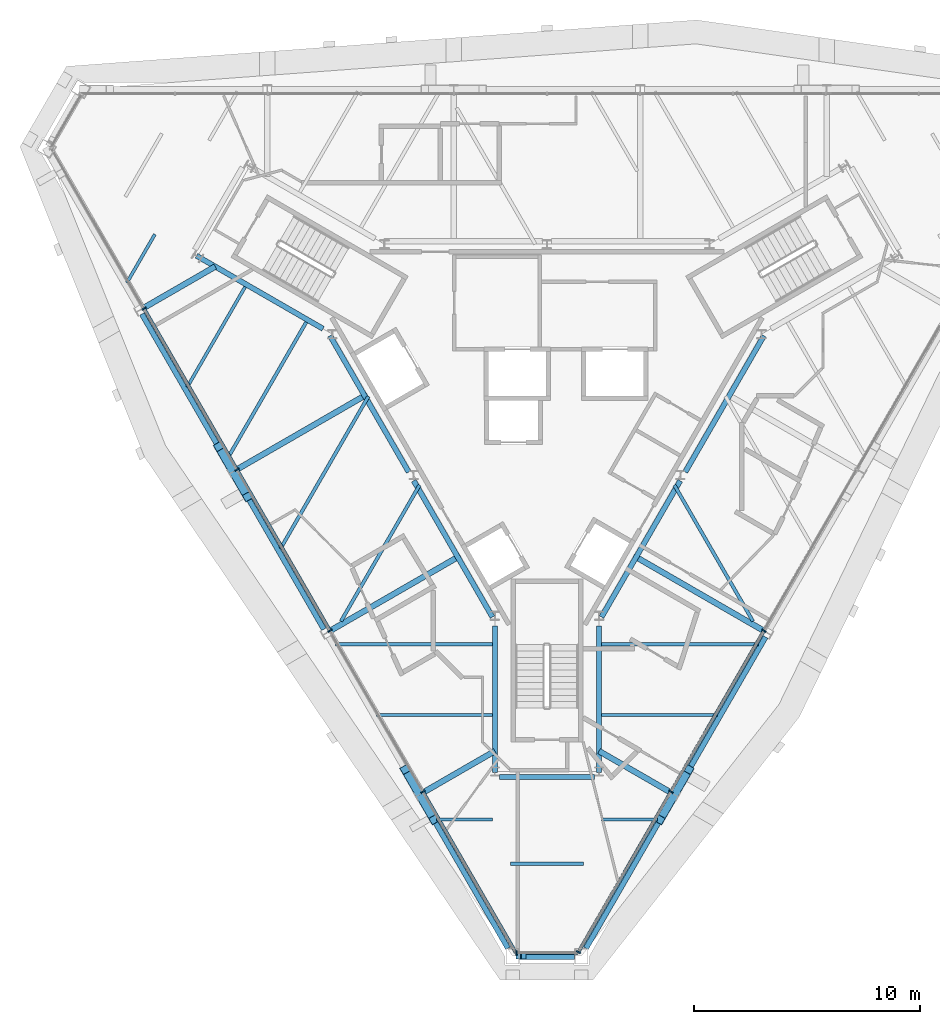
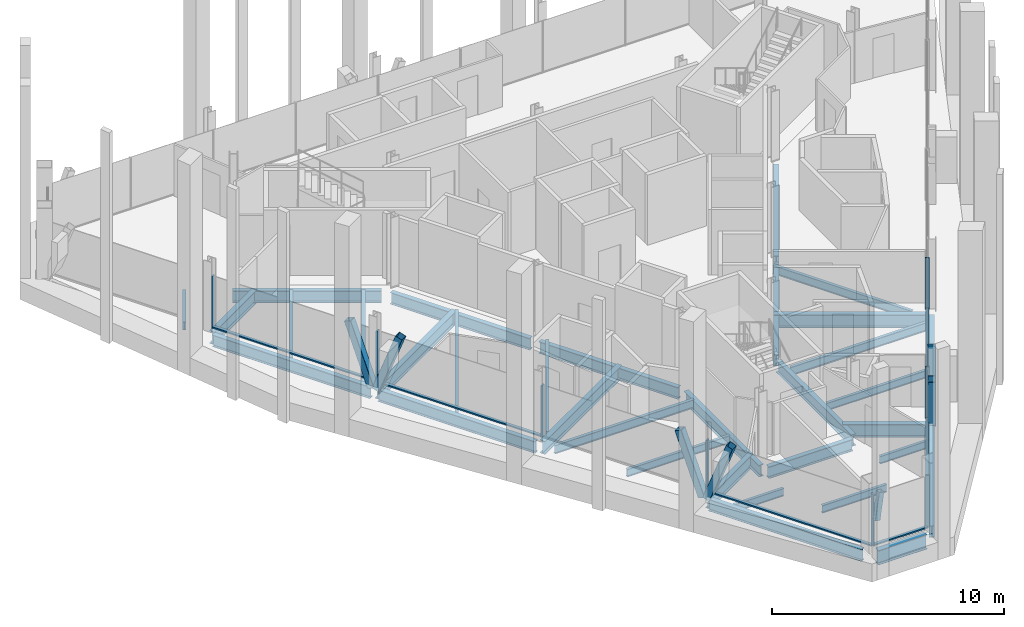
# One storey, part 3 of 12: 33 beams, 21 members, 3 elements without a shape of their own.
"""IFC4 building model written with IfcOpenShell, lengths in metres."""

from ifc_helpers import new_model, si_unit, direction, frame, origin, origin_2d, place, context, subcontext, project, spatial, rectangle, hollow_rectangle, i_section, extrude, material, material_profile, profile_set, type_object, element, aggregate, save


model = new_model("IFC4")

# Units and contexts
model_context = context("Model", 3, precision=1e-05, world=origin(), true_north=direction((0.0, 1.0)))
body_context = subcontext(model_context, "Body", "Model", "MODEL_VIEW")
ifc_project = project(units=[si_unit("LENGTHUNIT", "METRE"), si_unit("AREAUNIT", "SQUARE_METRE"), si_unit("VOLUMEUNIT", "CUBIC_METRE"), si_unit("PLANEANGLEUNIT", "RADIAN"), si_unit("MASSUNIT", "GRAM", prefix="KILO")], contexts=[model_context])

# Site, building, storey
site_placement = place(None, origin())
site = spatial("IfcSite", under=ifc_project, at=site_placement, CompositionType="ELEMENT")
building_placement = place(site_placement, origin())
building = spatial("IfcBuilding", under=site, at=building_placement, Name="Verrane Prism Tower", CompositionType="ELEMENT")
storey_placement = place(building_placement, frame((0.0, 0.0, 264.0)))
storey = spatial("IfcBuildingStorey", under=building, at=storey_placement, Name="L66", CompositionType="ELEMENT", Elevation=264.0)

# Member
ifc_material_1 = material(Name="Steel A500 Grade C", Category="steel")
ifc_material_profile_1 = material_profile(ifc_material_1, hollow_rectangle(XDim=0.25390625, YDim=0.25390625, WallThickness=0.009521484375, InnerFilletRadius=0.0048828125, OuterFilletRadius=0.014404296875, at=origin_2d()), Name="HSS10x10x3/8")
ifc_profile_set_1 = profile_set([ifc_material_profile_1], Name="Steel A500 Grade C")
member_type_1 = type_object("IfcMemberType", Name="Chamfer brace HSS10x10x3/8", PredefinedType="BRACE", material=ifc_profile_set_1)
member_1_placement = place(storey_placement, frame((-1.25, -24.669921875, 1.433349609375), z_axis=(0.135625707043, 0.0, 0.990760146347), x_axis=(0.0, 1.0, 0.0)))
element("IfcMember", 1, at=member_1_placement, inside=storey, type_object=member_type_1, Name="Chamfer brace S0 L66", PredefinedType="BRACE", context=body_context, shape_type="SweptSolid", body=[
    extrude(hollow_rectangle(XDim=0.25390625, YDim=0.25390625, WallThickness=0.009521484375, InnerFilletRadius=0.0048828125, OuterFilletRadius=0.014404296875, at=origin_2d()), origin(), (0.0, 0.0, 1.0), 1.445556640625),
])

# Beams
ifc_material_2 = material(Name="Steel A992", Category="steel")
ifc_material_profile_2 = material_profile(ifc_material_2, i_section(OverallWidth=0.2666015625, OverallDepth=0.7568359375, WebThickness=0.013916015625, FlangeThickness=0.019287109375, FilletRadius=0.0166015625, at=origin_2d()), Name="W30x108")
ifc_profile_set_2 = profile_set([ifc_material_profile_2], Name="Steel A992")
beam_type_1 = type_object("IfcBeamType", Name="Chamfer spandrel beam W30x108", PredefinedType="SPANDREL", material=ifc_profile_set_2)
beam_1_placement = place(storey_placement, frame((-1.219970703125, -24.669921875, -0.53857421875), z_axis=(1.0, 0.0, 0.0), x_axis=(0.0, 1.0, 0.0)))
element("IfcBeam", 2, at=beam_1_placement, inside=storey, type_object=beam_type_1, Name="Chamfer spandrel beam L66", PredefinedType="SPANDREL", context=body_context, shape_type="SweptSolid", body=[
    extrude(i_section(OverallWidth=0.2666015625, OverallDepth=0.7568359375, WebThickness=0.013916015625, FlangeThickness=0.019287109375, FilletRadius=0.0166015625, at=origin_2d()), origin(), (0.0, 0.0, 1.0), 2.43994140625),
])
ifc_material_3 = material(Name="Steel A992", Category="steel")
ifc_material_profile_3 = material_profile(ifc_material_3, i_section(OverallWidth=0.23046875, OverallDepth=0.6171875, WebThickness=0.01318359375, FlangeThickness=0.022216796875, FilletRadius=0.012939453125, at=origin_2d()), Name="W24x94")
ifc_profile_set_3 = profile_set([ifc_material_profile_3], Name="Steel A992")
beam_type_2 = type_object("IfcBeamType", Name="Core ring girder W24x94", PredefinedType="BEAM", material=ifc_profile_set_3)
beam_2_placement = place(storey_placement, frame((-15.486083984375, 6.28662109375, -0.55859375), z_axis=(0.866080992722, -0.499903704773, 0.0), x_axis=(0.499903704773, 0.866080992722, 0.0)))
element("IfcBeam", 3, at=beam_2_placement, inside=storey, type_object=beam_type_2, Name="Core ring girder L66", PredefinedType="BEAM", context=body_context, shape_type="SweptSolid", body=[
    extrude(i_section(OverallWidth=0.23046875, OverallDepth=0.6171875, WebThickness=0.01318359375, FlangeThickness=0.022216796875, FilletRadius=0.012939453125, at=origin_2d()), origin(), (0.0, 0.0, 1.0), 6.451904296875),
])
beam_3_placement = place(storey_placement, frame((-9.58740234375, 2.753173828125, -0.55859375), z_axis=(0.499899722929, -0.866083291038, 0.0), x_axis=(0.866083291038, 0.499899722929, 0.0)))
element("IfcBeam", 4, at=beam_3_placement, inside=storey, type_object=beam_type_2, Name="Core ring girder L66", PredefinedType="BEAM", context=body_context, shape_type="SweptSolid", body=[
    extrude(i_section(OverallWidth=0.23046875, OverallDepth=0.6171875, WebThickness=0.01318359375, FlangeThickness=0.022216796875, FilletRadius=0.012939453125, at=origin_2d()), origin(), (0.0, 0.0, 1.0), 6.95458984375),
])
beam_4_placement = place(storey_placement, frame((-5.887939453125, -3.656005859375, -0.55859375), z_axis=(0.499884524299, -0.866092063448, 0.0), x_axis=(0.866092063448, 0.499884524299, 0.0)))
element("IfcBeam", 5, at=beam_4_placement, inside=storey, type_object=beam_type_2, Name="Core ring girder L66", PredefinedType="BEAM", context=body_context, shape_type="SweptSolid", body=[
    extrude(i_section(OverallWidth=0.23046875, OverallDepth=0.6171875, WebThickness=0.01318359375, FlangeThickness=0.022216796875, FilletRadius=0.012939453125, at=origin_2d()), origin(), (0.0, 0.0, 1.0), 6.954833984375),
])
beam_5_placement = place(storey_placement, frame((-2.300048828125, -10.0654296875, -0.55859375), z_axis=(0.0, -1.0, 0.0), x_axis=(1.0, 0.0, 0.0)))
element("IfcBeam", 6, at=beam_5_placement, inside=storey, type_object=beam_type_2, Name="Core ring girder L66", PredefinedType="BEAM", context=body_context, shape_type="SweptSolid", body=[
    extrude(i_section(OverallWidth=0.23046875, OverallDepth=0.6171875, WebThickness=0.01318359375, FlangeThickness=0.022216796875, FilletRadius=0.012939453125, at=origin_2d()), origin(), (0.0, 0.0, 1.0), 6.487548828125),
])
beam_6_placement = place(storey_placement, frame((-2.099365234375, -16.75244140625, -0.55859375), z_axis=(1.0, 0.0, 0.0), x_axis=(0.0, 1.0, 0.0)))
element("IfcBeam", 7, at=beam_6_placement, inside=storey, type_object=beam_type_2, Name="Core ring girder L66", PredefinedType="BEAM", context=body_context, shape_type="SweptSolid", body=[
    extrude(i_section(OverallWidth=0.23046875, OverallDepth=0.6171875, WebThickness=0.01318359375, FlangeThickness=0.022216796875, FilletRadius=0.012939453125, at=origin_2d()), origin(), (0.0, 0.0, 1.0), 4.19873046875),
])
beam_7_placement = place(storey_placement, frame((2.300048828125, -16.552978515625, -0.55859375), z_axis=(0.0, 1.0, 0.0), x_axis=(-1.0, 0.0, 0.0)))
element("IfcBeam", 8, at=beam_7_placement, inside=storey, type_object=beam_type_2, Name="Core ring girder L66", PredefinedType="BEAM", context=body_context, shape_type="SweptSolid", body=[
    extrude(i_section(OverallWidth=0.23046875, OverallDepth=0.6171875, WebThickness=0.01318359375, FlangeThickness=0.022216796875, FilletRadius=0.012939453125, at=origin_2d()), origin(), (0.0, 0.0, 1.0), 6.487548828125),
])
beam_8_placement = place(storey_placement, frame((2.411376953125, -9.679443359375, -0.55859375), z_axis=(0.499884524299, 0.866092063448, 0.0), x_axis=(-0.866092063448, 0.499884524299, 0.0)))
element("IfcBeam", 9, at=beam_8_placement, inside=storey, type_object=beam_type_2, Name="Core ring girder L66", PredefinedType="BEAM", context=body_context, shape_type="SweptSolid", body=[
    extrude(i_section(OverallWidth=0.23046875, OverallDepth=0.6171875, WebThickness=0.01318359375, FlangeThickness=0.022216796875, FilletRadius=0.012939453125, at=origin_2d()), origin(), (0.0, 0.0, 1.0), 6.954833984375),
])
beam_9_placement = place(storey_placement, frame((6.11083984375, -3.27001953125, -0.55859375), z_axis=(0.499899722929, 0.866083291038, 0.0), x_axis=(-0.866083291038, 0.499899722929, 0.0)))
element("IfcBeam", 10, at=beam_9_placement, inside=storey, type_object=beam_type_2, Name="Core ring girder L66", PredefinedType="BEAM", context=body_context, shape_type="SweptSolid", body=[
    extrude(i_section(OverallWidth=0.23046875, OverallDepth=0.6171875, WebThickness=0.01318359375, FlangeThickness=0.022216796875, FilletRadius=0.012939453125, at=origin_2d()), origin(), (0.0, 0.0, 1.0), 6.95458984375),
])

# Members
ifc_material_4 = material(Name="Steel A500 Grade C", Category="steel")
ifc_material_profile_4 = material_profile(ifc_material_4, hollow_rectangle(XDim=0.355712890625, YDim=0.355712890625, WallThickness=0.0126953125, InnerFilletRadius=0.00634765625, OuterFilletRadius=0.01904296875, at=origin_2d()), Name="HSS14x14x1/2")
ifc_profile_set_4 = profile_set([ifc_material_profile_4], Name="Steel A500 Grade C")
member_type_2 = type_object("IfcMemberType", Name="Facade brace HSS14x14x1/2", PredefinedType="BRACE", material=ifc_profile_set_4)
member_2_placement = place(storey_placement, frame((-13.93505859375, -3.16455078125, -0.171630859375), z_axis=(-0.174020878561, 0.301558717773, 0.937432170111), x_axis=(-0.866130014302, -0.499818765479, 0.0)))
element("IfcMember", 11, at=member_2_placement, inside=storey, type_object=member_type_2, Name="Facade brace SW1 L66", PredefinedType="BRACE", context=body_context, shape_type="SweptSolid", body=[
    extrude(hollow_rectangle(XDim=0.355712890625, YDim=0.355712890625, WallThickness=0.0126953125, InnerFilletRadius=0.00634765625, OuterFilletRadius=0.01904296875, at=origin_2d()), origin(), (0.0, 0.0, 1.0), 3.361328125),
])
member_3_placement = place(storey_placement, frame((-13.824951171875, -3.35546875, -0.171630859375), z_axis=(0.174047542198, -0.301096436732, 0.937575804318), x_axis=(0.865764526148, 0.500451581339, 0.0)))
element("IfcMember", 12, at=member_3_placement, inside=storey, type_object=member_type_2, Name="Facade brace SW2 L66", PredefinedType="BRACE", context=body_context, shape_type="SweptSolid", body=[
    extrude(hollow_rectangle(XDim=0.355712890625, YDim=0.355712890625, WallThickness=0.0126953125, InnerFilletRadius=0.00634765625, OuterFilletRadius=0.01904296875, at=origin_2d()), origin(), (0.0, 0.0, 1.0), 3.36083984375),
])
for number, where, z_axis, x_axis, name in (
    (13, (-5.695068359375, -17.4345703125, -0.171630859375), (-0.173950446943, 0.301562528479, 0.937444016155), (-0.866220316572, -0.499662249082, 0.0), "Facade brace SW3 L66"),
    (14, (-5.5849609375, -17.62548828125, -0.171630859375), (0.174024689656, -0.301492690635, 0.937452700078), (0.866077886601, 0.499909086075, 0.0), "Facade brace SW4 L66"),
    (15, (5.5849609375, -17.62548828125, -0.171630859375), (-0.174024689656, -0.301492690635, 0.937452700078), (0.866077886601, -0.499909086075, 0.0), "Facade brace SE0 L66"),
    (16, (5.695068359375, -17.4345703125, -0.171630859375), (0.173950446943, 0.301562528479, 0.937444016155), (-0.866220316572, 0.499662249082, 0.0), "Facade brace SE1 L66"),
):
    element("IfcMember", number, at=place(storey_placement, frame(where, z_axis=z_axis, x_axis=x_axis)), inside=storey, type_object=member_type_2, Name=name, PredefinedType="BRACE", context=body_context, shape_type="SweptSolid", body=[
        extrude(hollow_rectangle(XDim=0.355712890625, YDim=0.355712890625, WallThickness=0.0126953125, InnerFilletRadius=0.00634765625, OuterFilletRadius=0.01904296875, at=origin_2d()), origin(), (0.0, 0.0, 1.0), 3.361328125),
    ])

# Beams
ifc_material_5 = material(Name="Steel A992", Category="steel")
ifc_material_profile_5 = material_profile(ifc_material_5, i_section(OverallWidth=0.140380859375, OverallDepth=0.40380859375, WebThickness=0.007080078125, FlangeThickness=0.01123046875, FilletRadius=0.01025390625, at=origin_2d()), Name="W16x31")
ifc_profile_set_5 = profile_set([ifc_material_profile_5], Name="Steel A992")
beam_type_3 = type_object("IfcBeamType", Name="Floor beam W16x31", PredefinedType="BEAM", material=ifc_profile_set_5)
beam_10_placement = place(storey_placement, frame((-18.565185546875, 5.089599609375, -0.36181640625), z_axis=(0.500006734102, 0.866021515814, 0.0), x_axis=(-0.866021515814, 0.500006734102, 0.0)))
element("IfcBeam", 17, at=beam_10_placement, inside=storey, type_object=beam_type_3, Name="Floor beam L66", PredefinedType="BEAM", context=body_context, shape_type="SweptSolid", body=[
    extrude(i_section(OverallWidth=0.140380859375, OverallDepth=0.40380859375, WebThickness=0.007080078125, FlangeThickness=0.01123046875, FilletRadius=0.01025390625, at=origin_2d()), origin(), (0.0, 0.0, 1.0), 2.47802734375),
])
beam_11_placement = place(storey_placement, frame((-15.902099609375, 0.474609375, -0.36181640625), z_axis=(0.500011000363, 0.866019052629, 0.0), x_axis=(-0.866019052629, 0.500011000363, 0.0)))
element("IfcBeam", 18, at=beam_11_placement, inside=storey, type_object=beam_type_3, Name="Floor beam L66", PredefinedType="BEAM", context=body_context, shape_type="SweptSolid", body=[
    extrude(i_section(OverallWidth=0.140380859375, OverallDepth=0.40380859375, WebThickness=0.007080078125, FlangeThickness=0.01123046875, FilletRadius=0.01025390625, at=origin_2d()), origin(), (0.0, 0.0, 1.0), 5.126953125),
])
beam_12_placement = place(storey_placement, frame((-7.538330078125, -14.010009765625, -0.36181640625), z_axis=(1.0, 0.0, 0.0), x_axis=(0.0, 1.0, 0.0)))
element("IfcBeam", 19, at=beam_12_placement, inside=storey, type_object=beam_type_3, Name="Floor beam L66", PredefinedType="BEAM", context=body_context, shape_type="SweptSolid", body=[
    extrude(i_section(OverallWidth=0.140380859375, OverallDepth=0.40380859375, WebThickness=0.007080078125, FlangeThickness=0.01123046875, FilletRadius=0.01025390625, at=origin_2d()), origin(), (0.0, 0.0, 1.0), 5.123291015625),
])
for number, where, z_axis, x_axis, name in (
    (20, (-4.876220703125, -18.623291015625, -0.36181640625), (1.0, 0.0, 0.0), (0.0, 1.0, 0.0), "Floor beam L66"),
    (21, (2.398681640625, -18.623291015625, -0.36181640625), (1.0, 0.0, 0.0), (0.0, 1.0, 0.0), "Floor beam L66"),
):
    element("IfcBeam", number, at=place(storey_placement, frame(where, z_axis=z_axis, x_axis=x_axis)), inside=storey, type_object=beam_type_3, Name=name, PredefinedType="BEAM", context=body_context, shape_type="SweptSolid", body=[
        extrude(i_section(OverallWidth=0.140380859375, OverallDepth=0.40380859375, WebThickness=0.007080078125, FlangeThickness=0.01123046875, FilletRadius=0.01025390625, at=origin_2d()), origin(), (0.0, 0.0, 1.0), 2.4775390625),
    ])
beam_13_placement = place(storey_placement, frame((2.4150390625, -14.010009765625, -0.36181640625), z_axis=(1.0, 0.0, 0.0), x_axis=(0.0, 1.0, 0.0)))
element("IfcBeam", 22, at=beam_13_placement, inside=storey, type_object=beam_type_3, Name="Floor beam L66", PredefinedType="BEAM", context=body_context, shape_type="SweptSolid", body=[
    extrude(i_section(OverallWidth=0.140380859375, OverallDepth=0.40380859375, WebThickness=0.007080078125, FlangeThickness=0.01123046875, FilletRadius=0.01025390625, at=origin_2d()), origin(), (0.0, 0.0, 1.0), 5.123291015625),
])
beam_14_placement = place(storey_placement, frame((-1.608642578125, -20.5849609375, -0.36181640625), z_axis=(1.0, 0.0, 0.0), x_axis=(0.0, 1.0, 0.0)))
element("IfcBeam", 23, at=beam_14_placement, inside=storey, type_object=beam_type_3, Name="Floor beam L66", PredefinedType="BEAM", context=body_context, shape_type="SweptSolid", body=[
    extrude(i_section(OverallWidth=0.140380859375, OverallDepth=0.40380859375, WebThickness=0.007080078125, FlangeThickness=0.01123046875, FilletRadius=0.01025390625, at=origin_2d()), origin(), (0.0, 0.0, 1.0), 3.21728515625),
])
ifc_material_6 = material(Name="Steel A992", Category="steel")
ifc_material_profile_6 = material_profile(ifc_material_6, i_section(OverallWidth=0.15234375, OverallDepth=0.449462890625, WebThickness=0.007568359375, FlangeThickness=0.0107421875, FilletRadius=0.01025390625, at=origin_2d()), Name="W18x35")
ifc_profile_set_6 = profile_set([ifc_material_profile_6], Name="Steel A992")
beam_type_4 = type_object("IfcBeamType", Name="Floor beam W18x35", PredefinedType="BEAM", material=ifc_profile_set_6)
beam_15_placement = place(storey_placement, frame((-14.1015625, -2.64599609375, -0.384765625), z_axis=(0.49999287541, 0.866029517129, 0.0), x_axis=(-0.866029517129, 0.49999287541, 0.0)))
element("IfcBeam", 24, at=beam_15_placement, inside=storey, type_object=beam_type_4, Name="Floor beam L66", PredefinedType="BEAM", context=body_context, shape_type="SweptSolid", body=[
    extrude(i_section(OverallWidth=0.15234375, OverallDepth=0.449462890625, WebThickness=0.007568359375, FlangeThickness=0.0107421875, FilletRadius=0.01025390625, at=origin_2d()), origin(), (0.0, 0.0, 1.0), 6.92919921875),
])
beam_16_placement = place(storey_placement, frame((-9.103271484375, -9.864501953125, -0.384765625), z_axis=(0.49999529192, 0.866028121979, 0.0), x_axis=(-0.866028121979, 0.49999529192, 0.0)))
element("IfcBeam", 25, at=beam_16_placement, inside=storey, type_object=beam_type_4, Name="Floor beam L66", PredefinedType="BEAM", context=body_context, shape_type="SweptSolid", body=[
    extrude(i_section(OverallWidth=0.15234375, OverallDepth=0.449462890625, WebThickness=0.007568359375, FlangeThickness=0.0107421875, FilletRadius=0.01025390625, at=origin_2d()), origin(), (0.0, 0.0, 1.0), 6.9453125),
])
beam_17_placement = place(storey_placement, frame((-11.78076171875, -6.6630859375, -0.384765625), z_axis=(0.499998764326, 0.8660261172, 0.0), x_axis=(-0.8660261172, 0.499998764326, 0.0)))
element("IfcBeam", 26, at=beam_17_placement, inside=storey, type_object=beam_type_4, Name="Floor beam L66", PredefinedType="BEAM", context=body_context, shape_type="SweptSolid", body=[
    extrude(i_section(OverallWidth=0.15234375, OverallDepth=0.449462890625, WebThickness=0.007568359375, FlangeThickness=0.0107421875, FilletRadius=0.01025390625, at=origin_2d()), origin(), (0.0, 0.0, 1.0), 7.77587890625),
])
for number, where, z_axis, x_axis, name in (
    (27, (-9.338623046875, -10.889892578125, -0.384765625), (1.0, 0.0, 0.0), (0.0, 1.0, 0.0), "Floor beam L66"),
    (28, (2.4150390625, -10.889892578125, -0.384765625), (1.0, 0.0, 0.0), (0.0, 1.0, 0.0), "Floor beam L66"),
):
    element("IfcBeam", number, at=place(storey_placement, frame(where, z_axis=z_axis, x_axis=x_axis)), inside=storey, type_object=beam_type_4, Name=name, PredefinedType="BEAM", context=body_context, shape_type="SweptSolid", body=[
        extrude(i_section(OverallWidth=0.15234375, OverallDepth=0.449462890625, WebThickness=0.007568359375, FlangeThickness=0.0107421875, FilletRadius=0.01025390625, at=origin_2d()), origin(), (0.0, 0.0, 1.0), 6.923583984375),
    ])
beam_18_placement = place(storey_placement, frame((9.103271484375, -9.864501953125, -0.384765625), z_axis=(-0.49999529192, 0.866028121979, 0.0), x_axis=(-0.866028121979, -0.49999529192, 0.0)))
element("IfcBeam", 29, at=beam_18_placement, inside=storey, type_object=beam_type_4, Name="Floor beam L66", PredefinedType="BEAM", context=body_context, shape_type="SweptSolid", body=[
    extrude(i_section(OverallWidth=0.15234375, OverallDepth=0.449462890625, WebThickness=0.007568359375, FlangeThickness=0.0107421875, FilletRadius=0.01025390625, at=origin_2d()), origin(), (0.0, 0.0, 1.0), 6.9453125),
])

# Curtain wall, members
ifc_material_7 = material(Name="Aluminium framed insulated glazing", Category="aluminium")
curtain_wall_type = type_object("IfcCurtainWallType", Name="Curtain wall CW-A 8400 module", PredefinedType="NOTDEFINED", material=ifc_material_7)
curtain_wall_1_placement = place(storey_placement, origin())
curtain_wall_1 = element("IfcCurtainWall", 30, at=curtain_wall_1_placement, inside=storey, type_object=curtain_wall_type, Name="Glazed curtain wall south-west face L66", PredefinedType="NOTDEFINED")
ifc_material_8 = material(Name="Aluminium alloy 6063-T6", Category="aluminium")
ifc_material_profile_7 = material_profile(ifc_material_8, rectangle(XDim=0.199951171875, YDim=0.070068359375, at=origin_2d()), Name="Mullion 70x200 aluminium")
ifc_profile_set_7 = profile_set([ifc_material_profile_7], Name="Aluminium alloy 6063-T6")
member_type_3 = type_object("IfcMemberType", Name="Mullion 70x200 aluminium", PredefinedType="MULLION", material=ifc_profile_set_7)
member_4_placement = place(storey_placement, frame((-17.8095703125, 3.952392578125, 0.0), z_axis=(0.0, 0.0, 1.0), x_axis=(0.866024861728, 0.500000938868, 0.0)))
member_4 = element("IfcMember", 31, at=member_4_placement, type_object=member_type_3, Name="CW66.4 mullion 2", PredefinedType="MULLION", context=body_context, shape_type="SweptSolid", body=[
    extrude(rectangle(XDim=0.199951171875, YDim=0.070068359375, at=origin_2d()), origin(), (0.0, 0.0, 1.0), 2.72314453125),
])
member_5_placement = place(storey_placement, frame((-13.7001953125, -3.1650390625, 0.0), z_axis=(0.0, 0.0, 1.0), x_axis=(0.866024861728, 0.500000938868, 0.0)))
member_5 = element("IfcMember", 32, at=member_5_placement, type_object=member_type_3, Name="CW66.4 mullion 3", PredefinedType="MULLION", context=body_context, shape_type="SweptSolid", body=[
    extrude(rectangle(XDim=0.199951171875, YDim=0.070068359375, at=origin_2d()), origin(), (0.0, 0.0, 1.0), 2.72314453125),
])
member_6_placement = place(storey_placement, frame((-9.591064453125, -10.2822265625, 0.0), z_axis=(0.0, 0.0, 1.0), x_axis=(0.866024861728, 0.500000938868, 0.0)))
member_6 = element("IfcMember", 33, at=member_6_placement, type_object=member_type_3, Name="CW66.4 mullion 4", PredefinedType="MULLION", context=body_context, shape_type="SweptSolid", body=[
    extrude(rectangle(XDim=0.199951171875, YDim=0.070068359375, at=origin_2d()), origin(), (0.0, 0.0, 1.0), 2.72314453125),
])
member_7_placement = place(storey_placement, frame((-5.48193359375, -17.399658203125, 0.0), z_axis=(0.0, 0.0, 1.0), x_axis=(0.866024861728, 0.500000938868, 0.0)))
member_7 = element("IfcMember", 34, at=member_7_placement, type_object=member_type_3, Name="CW66.4 mullion 5", PredefinedType="MULLION", context=body_context, shape_type="SweptSolid", body=[
    extrude(rectangle(XDim=0.199951171875, YDim=0.070068359375, at=origin_2d()), origin(), (0.0, 0.0, 1.0), 2.72314453125),
])

# Curtain wall, member
curtain_wall_2_placement = place(storey_placement, origin())
curtain_wall_2 = element("IfcCurtainWall", 35, at=curtain_wall_2_placement, inside=storey, type_object=curtain_wall_type, Name="Glazed curtain wall south corner L66", PredefinedType="NOTDEFINED")
member_8_placement = place(storey_placement, frame((-1.337646484375, -24.51708984375, 0.0), z_axis=(0.0, 0.0, 1.0), x_axis=(0.0, 1.0, 0.0)))
member_8 = element("IfcMember", 36, at=member_8_placement, type_object=member_type_3, Name="CW66.5 mullion 1", PredefinedType="MULLION", context=body_context, shape_type="SweptSolid", body=[
    extrude(rectangle(XDim=0.199951171875, YDim=0.070068359375, at=origin_2d()), origin(), (0.0, 0.0, 1.0), 2.72314453125),
])

# Curtain wall, members
curtain_wall_3_placement = place(storey_placement, origin())
curtain_wall_3 = element("IfcCurtainWall", 37, at=curtain_wall_3_placement, inside=storey, type_object=curtain_wall_type, Name="Glazed curtain wall south-east face L66", PredefinedType="NOTDEFINED")
member_9_placement = place(storey_placement, frame((1.39013671875, -24.486572265625, 0.0), z_axis=(0.0, 0.0, 1.0), x_axis=(-0.866024861728, 0.500000938868, 0.0)))
member_9 = element("IfcMember", 38, at=member_9_placement, type_object=member_type_3, Name="CW66.6 mullion 1", PredefinedType="MULLION", context=body_context, shape_type="SweptSolid", body=[
    extrude(rectangle(XDim=0.199951171875, YDim=0.070068359375, at=origin_2d()), origin(), (0.0, 0.0, 1.0), 2.72314453125),
])
member_10_placement = place(storey_placement, frame((5.48193359375, -17.399658203125, 0.0), z_axis=(0.0, 0.0, 1.0), x_axis=(-0.866024861728, 0.500000938868, 0.0)))
member_10 = element("IfcMember", 39, at=member_10_placement, type_object=member_type_3, Name="CW66.6 mullion 2", PredefinedType="MULLION", context=body_context, shape_type="SweptSolid", body=[
    extrude(rectangle(XDim=0.199951171875, YDim=0.070068359375, at=origin_2d()), origin(), (0.0, 0.0, 1.0), 2.72314453125),
])
member_11_placement = place(storey_placement, frame((9.591064453125, -10.2822265625, 0.0), z_axis=(0.0, 0.0, 1.0), x_axis=(-0.866024861728, 0.500000938868, 0.0)))
member_11 = element("IfcMember", 40, at=member_11_placement, type_object=member_type_3, Name="CW66.6 mullion 3", PredefinedType="MULLION", context=body_context, shape_type="SweptSolid", body=[
    extrude(rectangle(XDim=0.199951171875, YDim=0.070068359375, at=origin_2d()), origin(), (0.0, 0.0, 1.0), 2.72314453125),
])

# Beams
ifc_material_9 = material(Name="Steel A992", Category="steel")
ifc_material_profile_8 = material_profile(ifc_material_9, i_section(OverallWidth=0.25390625, OverallDepth=0.683349609375, WebThickness=0.012451171875, FlangeThickness=0.01904296875, FilletRadius=0.01513671875, at=origin_2d()), Name="W27x94")
ifc_profile_set_8 = profile_set([ifc_material_profile_8], Name="Steel A992")
beam_type_5 = type_object("IfcBeamType", Name="Radial girder W27x94", PredefinedType="BEAM", material=ifc_profile_set_8)
beam_19_placement = place(storey_placement, frame((-17.837158203125, 3.97412109375, -0.5615234375), z_axis=(0.866040472627, 0.499973899091, 0.0), x_axis=(-0.499973899091, 0.866040472627, 0.0)))
element("IfcBeam", 41, at=beam_19_placement, inside=storey, type_object=beam_type_5, Name="Radial girder L66", PredefinedType="BEAM", context=body_context, shape_type="SweptSolid", body=[
    extrude(i_section(OverallWidth=0.25390625, OverallDepth=0.683349609375, WebThickness=0.012451171875, FlangeThickness=0.01904296875, FilletRadius=0.01513671875, at=origin_2d()), origin(), (0.0, 0.0, 1.0), 3.670166015625),
])
beam_20_placement = place(storey_placement, frame((-13.71728515625, -3.166015625, -0.5615234375), z_axis=(0.866033637652, 0.499985738252, 0.0), x_axis=(-0.499985738252, 0.866033637652, 0.0)))
element("IfcBeam", 42, at=beam_20_placement, inside=storey, type_object=beam_type_5, Name="Radial girder L66", PredefinedType="BEAM", context=body_context, shape_type="SweptSolid", body=[
    extrude(i_section(OverallWidth=0.25390625, OverallDepth=0.683349609375, WebThickness=0.012451171875, FlangeThickness=0.01904296875, FilletRadius=0.01513671875, at=origin_2d()), origin(), (0.0, 0.0, 1.0), 6.662353515625),
])
beam_21_placement = place(storey_placement, frame((-9.59716796875, -10.2958984375, -0.5615234375), z_axis=(0.866029870483, 0.499992263371, 0.0), x_axis=(-0.499992263371, 0.866029870483, 0.0)))
element("IfcBeam", 43, at=beam_21_placement, inside=storey, type_object=beam_type_5, Name="Radial girder L66", PredefinedType="BEAM", context=body_context, shape_type="SweptSolid", body=[
    extrude(i_section(OverallWidth=0.25390625, OverallDepth=0.683349609375, WebThickness=0.012451171875, FlangeThickness=0.01904296875, FilletRadius=0.01513671875, at=origin_2d()), origin(), (0.0, 0.0, 1.0), 6.65771484375),
])
for number, where, z_axis, x_axis, name in (
    (44, (-5.477294921875, -17.43603515625, -0.5615234375), (0.866043741627, 0.499968236579, 0.0), (-0.499968236579, 0.866043741627, 0.0), "Radial girder L66"),
    (45, (5.477294921875, -17.43603515625, -0.5615234375), (-0.866043741627, 0.499968236579, 0.0), (-0.499968236579, -0.866043741627, 0.0), "Radial girder L66"),
):
    element("IfcBeam", number, at=place(storey_placement, frame(where, z_axis=z_axis, x_axis=x_axis)), inside=storey, type_object=beam_type_5, Name=name, PredefinedType="BEAM", context=body_context, shape_type="SweptSolid", body=[
        extrude(i_section(OverallWidth=0.25390625, OverallDepth=0.683349609375, WebThickness=0.012451171875, FlangeThickness=0.01904296875, FilletRadius=0.01513671875, at=origin_2d()), origin(), (0.0, 0.0, 1.0), 3.668701171875),
    ])
beam_22_placement = place(storey_placement, frame((9.59716796875, -10.2958984375, -0.5615234375), z_axis=(-0.866029870483, 0.499992263371, 0.0), x_axis=(-0.499992263371, -0.866029870483, 0.0)))
element("IfcBeam", 46, at=beam_22_placement, inside=storey, type_object=beam_type_5, Name="Radial girder L66", PredefinedType="BEAM", context=body_context, shape_type="SweptSolid", body=[
    extrude(i_section(OverallWidth=0.25390625, OverallDepth=0.683349609375, WebThickness=0.012451171875, FlangeThickness=0.01904296875, FilletRadius=0.01513671875, at=origin_2d()), origin(), (0.0, 0.0, 1.0), 6.65771484375),
])
ifc_material_10 = material(Name="Steel A992", Category="steel")
ifc_material_profile_9 = material_profile(ifc_material_10, i_section(OverallWidth=0.23046875, OverallDepth=0.6171875, WebThickness=0.01318359375, FlangeThickness=0.022216796875, FilletRadius=0.012939453125, at=origin_2d()), Name="W24x94")
ifc_profile_set_9 = profile_set([ifc_material_profile_9], Name="Steel A992")
beam_type_6 = type_object("IfcBeamType", Name="Spandrel beam W24x94", PredefinedType="SPANDREL", material=ifc_profile_set_9)
beam_23_placement = place(storey_placement, frame((-17.901611328125, 3.70947265625, -0.468505859375), z_axis=(0.499775405071, -0.866155034902, 0.0), x_axis=(0.866155034902, 0.499775405071, 0.0)))
element("IfcBeam", 47, at=beam_23_placement, inside=storey, type_object=beam_type_6, Name="Spandrel beam L66", PredefinedType="SPANDREL", context=body_context, shape_type="SweptSolid", body=[
    extrude(i_section(OverallWidth=0.23046875, OverallDepth=0.6171875, WebThickness=0.01318359375, FlangeThickness=0.022216796875, FilletRadius=0.012939453125, at=origin_2d()), origin(), (0.0, 0.0, 1.0), 7.849609375),
])
beam_24_placement = place(storey_placement, frame((-13.781494140625, -3.430419921875, -0.468505859375), z_axis=(0.500327915282, -0.865835999015, 0.0), x_axis=(0.865835999015, 0.500327915282, 0.0)))
element("IfcBeam", 48, at=beam_24_placement, inside=storey, type_object=beam_type_6, Name="Spandrel beam L66", PredefinedType="SPANDREL", context=body_context, shape_type="SweptSolid", body=[
    extrude(i_section(OverallWidth=0.23046875, OverallDepth=0.6171875, WebThickness=0.01318359375, FlangeThickness=0.022216796875, FilletRadius=0.012939453125, at=origin_2d()), origin(), (0.0, 0.0, 1.0), 7.841064453125),
])
for number, where, z_axis, x_axis, name in (
    (49, (-5.54150390625, -17.700439453125, -0.468505859375), (0.499777762154, -0.86615367485, 0.0), (0.86615367485, 0.499777762154, 0.0), "Spandrel beam L66"),
    (50, (1.721923828125, -24.320068359375, -0.468505859375), (0.499777762154, 0.86615367485, 0.0), (-0.86615367485, 0.499777762154, 0.0), "Spandrel beam L66"),
):
    element("IfcBeam", number, at=place(storey_placement, frame(where, z_axis=z_axis, x_axis=x_axis)), inside=storey, type_object=beam_type_6, Name=name, PredefinedType="SPANDREL", context=body_context, shape_type="SweptSolid", body=[
        extrude(i_section(OverallWidth=0.23046875, OverallDepth=0.6171875, WebThickness=0.01318359375, FlangeThickness=0.022216796875, FilletRadius=0.012939453125, at=origin_2d()), origin(), (0.0, 0.0, 1.0), 7.642578125),
    ])
beam_25_placement = place(storey_placement, frame((5.73828125, -17.359619140625, -0.468505859375), z_axis=(0.499798737888, 0.866141571341, 0.0), x_axis=(-0.866141571341, 0.499798737888, 0.0)))
element("IfcBeam", 51, at=beam_25_placement, inside=storey, type_object=beam_type_6, Name="Spandrel beam L66", PredefinedType="SPANDREL", context=body_context, shape_type="SweptSolid", body=[
    extrude(i_section(OverallWidth=0.23046875, OverallDepth=0.6171875, WebThickness=0.01318359375, FlangeThickness=0.022216796875, FilletRadius=0.012939453125, at=origin_2d()), origin(), (0.0, 0.0, 1.0), 7.849853515625),
])

# Member
ifc_material_11 = material(Name="Aluminium alloy 6063-T6", Category="aluminium")
ifc_material_profile_10 = material_profile(ifc_material_11, rectangle(XDim=0.14990234375, YDim=0.070068359375, at=origin_2d()), Name="Transom 70x150 aluminium")
ifc_profile_set_10 = profile_set([ifc_material_profile_10], Name="Aluminium alloy 6063-T6")
member_type_4 = type_object("IfcMemberType", Name="Transom 70x150 aluminium", PredefinedType="USERDEFINED", material=ifc_profile_set_10)
member_12_placement = place(storey_placement, frame((-17.7919921875, 3.922119140625, 0.034912109375), z_axis=(0.500006018292, -0.866021929094, 0.0), x_axis=(0.866021929094, 0.500006018292, 0.0)))
member_12 = element("IfcMember", 52, at=member_12_placement, type_object=member_type_4, Name="CW66.4 transom 2", ObjectType="TRANSOM", PredefinedType="USERDEFINED", context=body_context, shape_type="SweptSolid", body=[
    extrude(rectangle(XDim=0.14990234375, YDim=0.070068359375, at=origin_2d()), origin(), (0.0, 0.0, 1.0), 8.1484375),
])

member_13_placement = place(storey_placement, frame((-13.682861328125, -3.1953125, 0.034912109375), z_axis=(0.500006018292, -0.866021929094, 0.0), x_axis=(0.866021929094, 0.500006018292, 0.0)))
member_13 = element("IfcMember", 53, at=member_13_placement, type_object=member_type_4, Name="CW66.4 transom 3", ObjectType="TRANSOM", PredefinedType="USERDEFINED", context=body_context, shape_type="SweptSolid", body=[
    extrude(rectangle(XDim=0.14990234375, YDim=0.070068359375, at=origin_2d()), origin(), (0.0, 0.0, 1.0), 8.1484375),
])

member_14_placement = place(storey_placement, frame((-5.46435546875, -17.429931640625, 0.034912109375), z_axis=(0.500002215902, -0.866024124429, 0.0), x_axis=(0.866024124429, 0.500002215902, 0.0)))
member_14 = element("IfcMember", 54, at=member_14_placement, type_object=member_type_4, Name="CW66.4 transom 5", ObjectType="TRANSOM", PredefinedType="USERDEFINED", context=body_context, shape_type="SweptSolid", body=[
    extrude(rectangle(XDim=0.14990234375, YDim=0.070068359375, at=origin_2d()), origin(), (0.0, 0.0, 1.0), 8.18359375),
])

aggregate(curtain_wall_1, [member_4, member_5, member_6, member_7, member_12, member_13, member_14])

member_15_placement = place(storey_placement, frame((-1.302490234375, -24.51708984375, 0.034912109375), z_axis=(1.0, 0.0, 0.0), x_axis=(0.0, 1.0, 0.0)))
member_15 = element("IfcMember", 55, at=member_15_placement, type_object=member_type_4, Name="CW66.5 transom 1", ObjectType="TRANSOM", PredefinedType="USERDEFINED", context=body_context, shape_type="SweptSolid", body=[
    extrude(rectangle(XDim=0.14990234375, YDim=0.070068359375, at=origin_2d()), origin(), (0.0, 0.0, 1.0), 2.675048828125),
])

aggregate(curtain_wall_2, [member_8, member_15])

member_16_placement = place(storey_placement, frame((1.40771484375, -24.456298828125, 0.034912109375), z_axis=(0.499996823547, 0.866027237703, 0.0), x_axis=(-0.866027237703, 0.499996823547, 0.0)))
member_16 = element("IfcMember", 56, at=member_16_placement, type_object=member_type_4, Name="CW66.6 transom 1", ObjectType="TRANSOM", PredefinedType="USERDEFINED", context=body_context, shape_type="SweptSolid", body=[
    extrude(rectangle(XDim=0.14990234375, YDim=0.070068359375, at=origin_2d()), origin(), (0.0, 0.0, 1.0), 8.11328125),
])

member_17_placement = place(storey_placement, frame((5.499267578125, -17.369384765625, 0.034912109375), z_axis=(0.499993044538, 0.866029419485, 0.0), x_axis=(-0.866029419485, 0.499993044538, 0.0)))
member_17 = element("IfcMember", 57, at=member_17_placement, type_object=member_type_4, Name="CW66.6 transom 2", ObjectType="TRANSOM", PredefinedType="USERDEFINED", context=body_context, shape_type="SweptSolid", body=[
    extrude(rectangle(XDim=0.14990234375, YDim=0.070068359375, at=origin_2d()), origin(), (0.0, 0.0, 1.0), 8.1484375),
])

aggregate(curtain_wall_3, [member_9, member_10, member_11, member_16, member_17])

save(model, "model.ifc")
